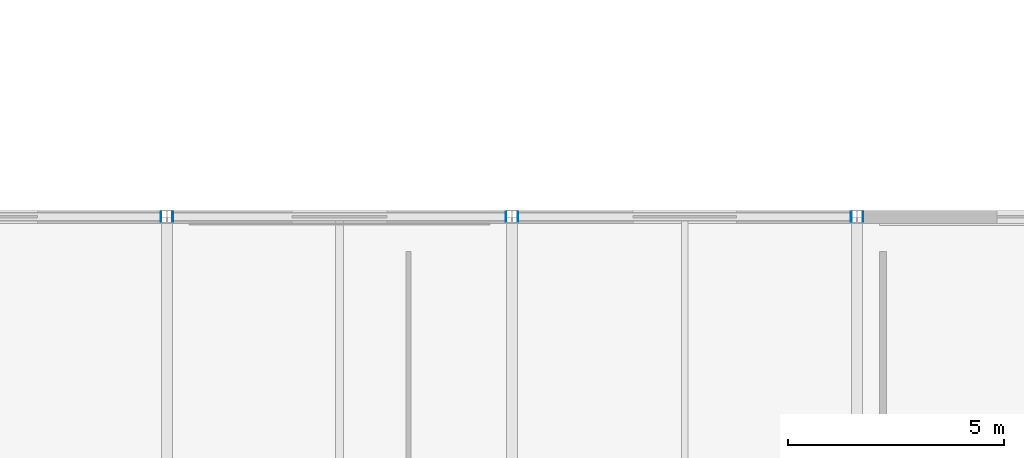
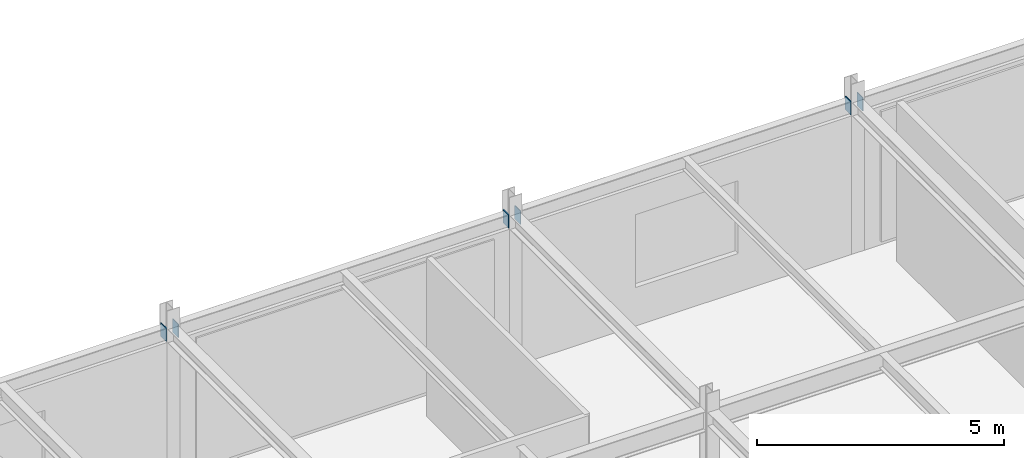
# One storey, part 73 of 88: 6 plates.
"""IFC4 building model written with IfcOpenShell, lengths in metres."""

from ifc_helpers import new_model, si_unit, direction, frame, origin, origin_2d, place, context, subcontext, project, spatial, rectangle, extrude, material, layer, layer_set, type_object, element, save


model = new_model("IFC4")

# Units and contexts
model_context = context("Model", 3, precision=1e-05, world=origin(), true_north=direction((0.0, 1.0)))
body_context = subcontext(model_context, "Body", "Model", "MODEL_VIEW")
ifc_project = project(units=[si_unit("LENGTHUNIT", "METRE"), si_unit("AREAUNIT", "SQUARE_METRE"), si_unit("VOLUMEUNIT", "CUBIC_METRE"), si_unit("PLANEANGLEUNIT", "RADIAN"), si_unit("MASSUNIT", "GRAM", prefix="KILO")], contexts=[model_context])

# Site, building, storey
site_placement = place(None, origin())
site = spatial("IfcSite", under=ifc_project, at=site_placement, CompositionType="ELEMENT")
building_placement = place(site_placement, origin())
building = spatial("IfcBuilding", under=site, at=building_placement, Name="Zhaolan Boulevard Law Courts", CompositionType="ELEMENT")
storey_placement = place(building_placement, frame((0.0, 0.0, 16.199951171875)))
storey = spatial("IfcBuildingStorey", under=building, at=storey_placement, Name="L03", CompositionType="ELEMENT", Elevation=16.199951171875)

# Plates
ifc_material = material(Name="Structural steel Q355B", Category="steel")
ifc_layer = layer(ifc_material, 0.02001953125)
ifc_layer_set = layer_set([ifc_layer])
plate_type = type_object("IfcPlateType", Name="END CAP PLATE 20", PredefinedType="SHEET", material=ifc_layer_set)
for number, where, z_axis, x_axis, name in (
    (1, (131.862060546875, 94.0, 3.423095703125), (0.0, 0.0, 1.0), (1.0, 0.0, 0.0), "Hollow Section End-Cap Plate ECP-0960"),
    (2, (132.137939453125, 94.0, 3.423095703125), (0.0, 0.0, 1.0), (1.0, 0.0, 0.0), "Hollow Section End-Cap Plate ECP-0961"),
    (3, (139.862060546875, 94.0, 3.423095703125), (0.0, 0.0, 1.0), (1.0, 0.0, 0.0), "Hollow Section End-Cap Plate ECP-0962"),
    (4, (140.137939453125, 94.0, 3.423095703125), (0.0, 0.0, 1.0), (1.0, 0.0, 0.0), "Hollow Section End-Cap Plate ECP-0963"),
    (5, (147.862060546875, 94.0, 3.423095703125), (0.0, 0.0, 1.0), (1.0, 0.0, 0.0), "Hollow Section End-Cap Plate ECP-0964"),
    (6, (148.137939453125, 94.0, 3.423095703125), (0.0, 0.0, 1.0), (1.0, 0.0, 0.0), "Hollow Section End-Cap Plate ECP-0965"),
):
    element("IfcPlate", number, at=place(storey_placement, frame(where, z_axis=z_axis, x_axis=x_axis)), inside=storey, type_object=plate_type, Name=name, PredefinedType="SHEET", context=body_context, shape_type="SweptSolid", body=[
        extrude(rectangle(XDim=0.02001953125, YDim=0.22998046875, at=origin_2d()), origin(), (0.0, 0.0, 1.0), 0.330078125),
    ])

save(model, "model.ifc")
